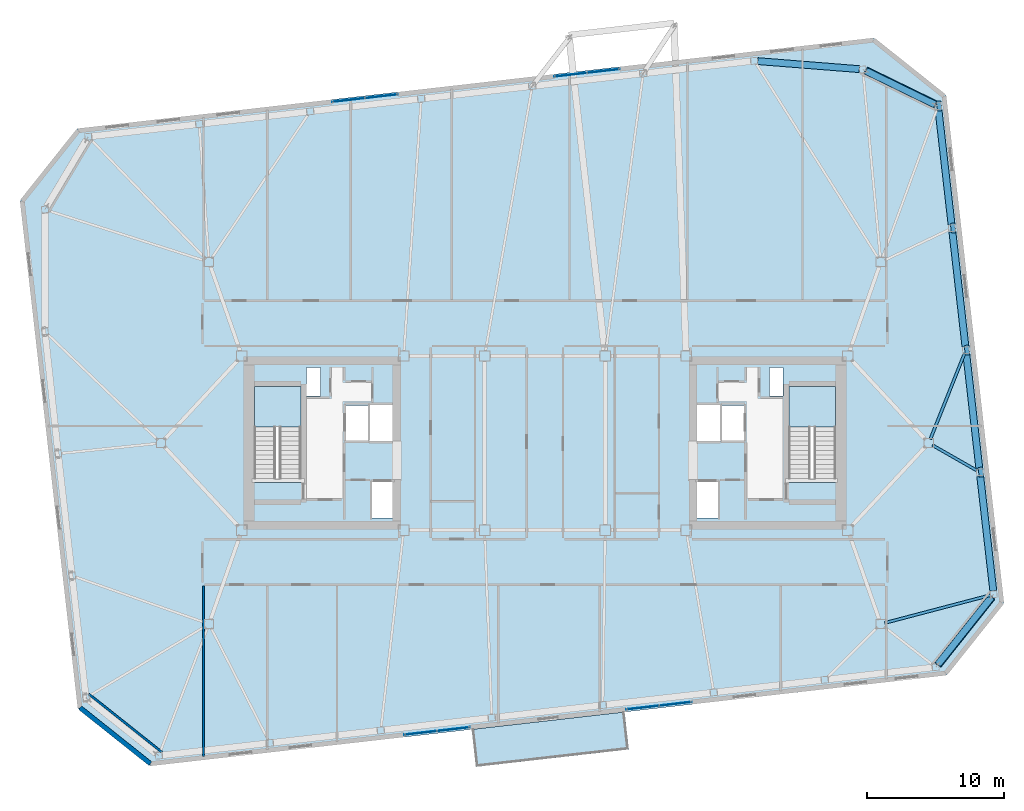
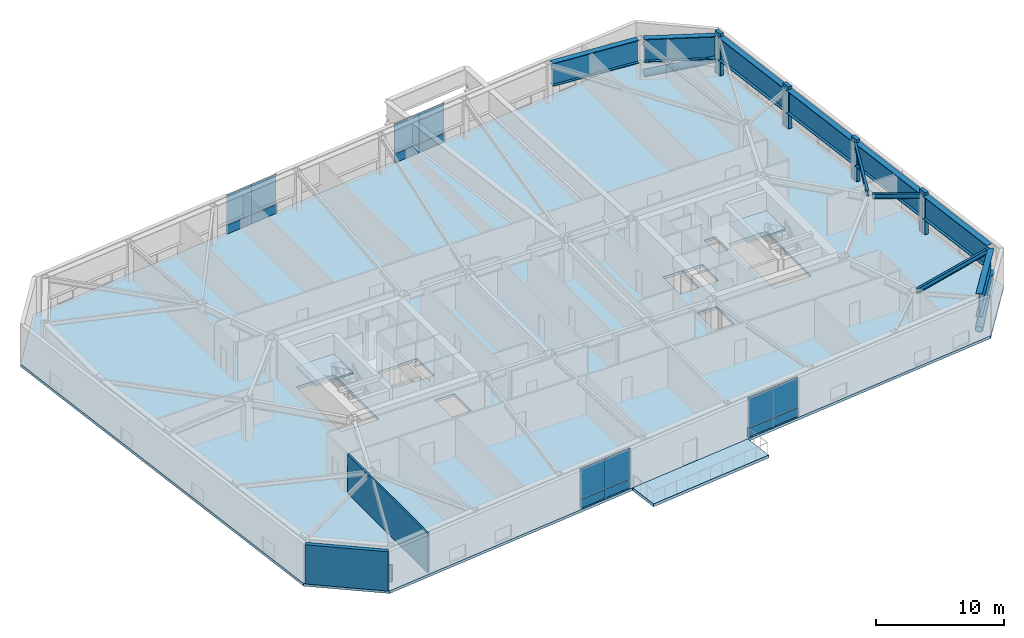
# One storey, part 11 of 20: 16 plates, 10 beams, 6 members, 4 slabs, 3 walls, 6 elements without a shape of their own.
"""IFC4 building model written with IfcOpenShell, lengths in metres."""

from ifc_helpers import new_model, si_unit, direction, frame, frame_2d, origin, origin_2d, place, context, subcontext, project, spatial, polyline, rectangle, hollow_circle, i_section, outline, extrude, material, layer, layer_set, material_profile, profile_set, type_object, element, aggregate, save


model = new_model("IFC4")

# Units and contexts
model_context = context("Model", 3, precision=1e-05, world=origin(), true_north=direction((0.0, 1.0)))
body_context = subcontext(model_context, "Body", "Model", "MODEL_VIEW")
ifc_project = project(units=[si_unit("LENGTHUNIT", "METRE"), si_unit("AREAUNIT", "SQUARE_METRE"), si_unit("VOLUMEUNIT", "CUBIC_METRE"), si_unit("PLANEANGLEUNIT", "RADIAN"), si_unit("MASSUNIT", "GRAM", prefix="KILO")], contexts=[model_context])

# Site, building, storey
site_placement = place(None, origin())
site = spatial("IfcSite", under=ifc_project, at=site_placement, CompositionType="ELEMENT")
building_placement = place(site_placement, origin())
building = spatial("IfcBuilding", under=site, at=building_placement, Name="Tavrogorsk Clinical Tower", CompositionType="ELEMENT")
storey_placement = place(building_placement, frame((0.0, 0.0, 234.199951171875)))
storey = spatial("IfcBuildingStorey", under=building, at=storey_placement, Name="L54", CompositionType="ELEMENT", Elevation=234.199951171875)

# Members
ifc_material_1 = material(Name="Structural steel S440", Category="steel")
ifc_material_profile_1 = material_profile(ifc_material_1, hollow_circle(Radius=0.304931640625, WallThickness=0.02490234375, at=origin_2d()), Name="CHS-610x25")
ifc_profile_set_1 = profile_set([ifc_material_profile_1], Name="Structural steel S440")
member_type_1 = type_object("IfcMemberType", Name="ExoBrace_CHS610", PredefinedType="BRACE", material=ifc_profile_set_1)
member_1_placement = place(storey_placement, frame((28.666748046875, -16.146484375, 0.344482421875), z_axis=(0.613163423379, 0.770848240557, 0.172695125176), x_axis=(-0.782606649981, 0.622516531029, 0.0)))
element("IfcMember", 1, at=member_1_placement, inside=storey, type_object=member_type_1, Name="L54 Corner Exoskeleton Brace S8-E1", PredefinedType="BRACE", context=body_context, shape_type="SweptSolid", body=[
    extrude(hollow_circle(Radius=0.304931640625, WallThickness=0.02490234375, at=origin_2d()), origin(), (0.0, 0.0, 1.0), 6.375732421875),
])
member_2_placement = place(storey_placement, frame((23.415771484375, 27.142333984375, 0.349365234375), z_axis=(0.882235051021, -0.430206188911, 0.191269312157), x_axis=(0.438298228352, 0.898829607336, 0.0)))
element("IfcMember", 2, at=member_2_placement, inside=storey, type_object=member_type_1, Name="L54 Corner Exoskeleton Brace E5-N1", PredefinedType="BRACE", context=body_context, shape_type="SweptSolid", body=[
    extrude(hollow_circle(Radius=0.304931640625, WallThickness=0.02490234375, at=origin_2d()), origin(), (0.0, 0.0, 1.0), 5.70556640625),
])

# Beams
ifc_material_2 = material(Name="Structural steel S355", Category="steel")
ifc_material_profile_2 = material_profile(ifc_material_2, i_section(OverallWidth=0.199951171875, OverallDepth=0.449951171875, WebThickness=0.011474609375, FlangeThickness=0.01806640625, at=origin_2d()), Name="B-450x200x11.5x18")
ifc_profile_set_2 = profile_set([ifc_material_profile_2], Name="Structural steel S355")
beam_type_1 = type_object("IfcBeamType", Name="FloorBeam_B450", PredefinedType="BEAM", material=ifc_profile_set_2)
beam_1_placement = place(storey_placement, frame((24.7998046875, -13.12109375, 3.51513671875), z_axis=(0.967072149487, 0.254502372652, 0.0), x_axis=(-0.254502372652, 0.967072149487, 0.0)))
element("IfcBeam", 3, at=beam_1_placement, inside=storey, type_object=beam_type_1, Name="L54 Radial Floor Beam E1", PredefinedType="BEAM", context=body_context, shape_type="SweptSolid", body=[
    extrude(i_section(OverallWidth=0.199951171875, OverallDepth=0.449951171875, WebThickness=0.011474609375, FlangeThickness=0.01806640625, at=origin_2d()), origin(), (0.0, 0.0, 1.0), 7.94677734375),
])
beam_2_placement = place(storey_placement, frame((28.26904296875, -0.154052734375, 3.51513671875), z_axis=(0.867782232017, -0.49694466271, 0.0), x_axis=(0.49694466271, 0.867782232017, 0.0)))
element("IfcBeam", 4, at=beam_2_placement, inside=storey, type_object=beam_type_1, Name="L54 Radial Floor Beam E2", PredefinedType="BEAM", context=body_context, shape_type="SweptSolid", body=[
    extrude(i_section(OverallWidth=0.199951171875, OverallDepth=0.449951171875, WebThickness=0.011474609375, FlangeThickness=0.01806640625, at=origin_2d()), origin(), (0.0, 0.0, 1.0), 3.718994140625),
])
beam_3_placement = place(storey_placement, frame((28.114990234375, 0.287841796875, 3.51513671875), z_axis=(0.371052625529, 0.928611839838, 0.0), x_axis=(-0.928611839838, 0.371052625529, 0.0)))
element("IfcBeam", 5, at=beam_3_placement, inside=storey, type_object=beam_type_1, Name="L54 Radial Floor Beam E3", PredefinedType="BEAM", context=body_context, shape_type="SweptSolid", body=[
    extrude(i_section(OverallWidth=0.199951171875, OverallDepth=0.449951171875, WebThickness=0.011474609375, FlangeThickness=0.01806640625, at=origin_2d()), origin(), (0.0, 0.0, 1.0), 6.724365234375),
])

# Members
ifc_material_3 = material(Name="Precast concrete B45 with limestone cladding", Category="masonry")
ifc_material_profile_3 = material_profile(ifc_material_3, rectangle(XDim=0.320068359375, YDim=0.719970703125, at=origin_2d()), Name="LIMESTONE-FIN-320x720")
ifc_profile_set_3 = profile_set([ifc_material_profile_3], Name="Precast concrete B45 with limestone cladding")
member_type_2 = type_object("IfcMemberType", Name="LimestonePleatFin_320x720", PredefinedType="USERDEFINED", material=ifc_profile_set_3)
for number, where, z_axis, x_axis, name in (
    (6, (31.799560546875, -2.121337890625, 0.0), (0.0, 0.0, 1.0), (0.993571855677, 0.113203213768, 0.0), "L54 E Pleated Stone Fin 1"),
    (7, (30.785400390625, 6.781005859375, 0.0), (0.0, 0.0, 1.0), (0.993571855677, 0.113203213768, 0.0), "L54 E Pleated Stone Fin 2"),
    (8, (29.77099609375, 15.683349609375, 0.0), (0.0, 0.0, 1.0), (0.993571855677, 0.113203213768, 0.0), "L54 E Pleated Stone Fin 3"),
    (9, (28.756591796875, 24.585693359375, 0.0), (0.0, 0.0, 1.0), (0.993571855677, 0.113203213768, 0.0), "L54 E Pleated Stone Fin 4"),
):
    element("IfcMember", number, at=place(storey_placement, frame(where, z_axis=z_axis, x_axis=x_axis)), inside=storey, type_object=member_type_2, Name=name, ObjectType="FIN", PredefinedType="USERDEFINED", context=body_context, shape_type="SweptSolid", body=[
        extrude(rectangle(XDim=0.320068359375, YDim=0.719970703125, at=origin_2d()), origin(), (0.0, 0.0, 1.0), 4.0),
    ])

# Beams
ifc_material_4 = material(Name="Structural steel S440", Category="steel")
ifc_material_profile_4 = material_profile(ifc_material_4, i_section(OverallWidth=0.5, OverallDepth=2.199951171875, WebThickness=0.035888671875, FlangeThickness=0.054931640625, at=origin_2d()), Name="DK-2200x500x36x55")
ifc_profile_set_4 = profile_set([ifc_material_profile_4], Name="Structural steel S440")
beam_type_2 = type_object("IfcBeamType", Name="TransferGirder_DK2200", PredefinedType="USERDEFINED", material=ifc_profile_set_4)
beam_4_placement = place(storey_placement, frame((28.669189453125, -16.1435546875, 2.64013671875), z_axis=(0.622513813188, 0.782608811853, 0.0), x_axis=(-0.782608811853, 0.622513813188, 0.0)))
element("IfcBeam", 10, at=beam_4_placement, inside=storey, type_object=beam_type_2, Name="L54 Perimeter Spandrel S8-E1", ObjectType="GIRDER", PredefinedType="USERDEFINED", context=body_context, shape_type="SweptSolid", body=[
    extrude(i_section(OverallWidth=0.5, OverallDepth=2.199951171875, WebThickness=0.035888671875, FlangeThickness=0.054931640625, at=origin_2d()), origin(), (0.0, 0.0, 1.0), 6.272216796875),
])
for number, where, z_axis, x_axis, name in (
    (11, (32.705078125, -10.776611328125, 2.64013671875), (-0.113191877531, 0.993573147212, 0.0), (-0.993573147212, -0.113191877531, 0.0), "L54 Perimeter Spandrel E1-E2"),
    (12, (31.69091796875, -1.874267578125, 2.64013671875), (-0.113191877531, 0.993573147212, 0.0), (-0.993573147212, -0.113191877531, 0.0), "L54 Perimeter Spandrel E2-E3"),
):
    element("IfcBeam", number, at=place(storey_placement, frame(where, z_axis=z_axis, x_axis=x_axis)), inside=storey, type_object=beam_type_2, Name=name, ObjectType="GIRDER", PredefinedType="USERDEFINED", context=body_context, shape_type="SweptSolid", body=[
        extrude(i_section(OverallWidth=0.5, OverallDepth=2.199951171875, WebThickness=0.035888671875, FlangeThickness=0.054931640625, at=origin_2d()), origin(), (0.0, 0.0, 1.0), 8.444091796875),
    ])
for number, where, z_axis, x_axis, name in (
    (13, (30.676513671875, 7.0283203125, 2.64013671875), (-0.113195129234, 0.99357277676, 0.0), (-0.99357277676, -0.113195129234, 0.0), "L54 Perimeter Spandrel E3-E4"),
    (14, (29.662353515625, 15.9306640625, 2.64013671875), (-0.113223671813, 0.993569524563, 0.0), (-0.993569524563, -0.113223671813, 0.0), "L54 Perimeter Spandrel E4-E5"),
):
    element("IfcBeam", number, at=place(storey_placement, frame(where, z_axis=z_axis, x_axis=x_axis)), inside=storey, type_object=beam_type_2, Name=name, ObjectType="GIRDER", PredefinedType="USERDEFINED", context=body_context, shape_type="SweptSolid", body=[
        extrude(i_section(OverallWidth=0.5, OverallDepth=2.199951171875, WebThickness=0.035888671875, FlangeThickness=0.054931640625, at=origin_2d()), origin(), (0.0, 0.0, 1.0), 8.44384765625),
    ])
beam_5_placement = place(storey_placement, frame((28.4453125, 24.689697265625, 2.64013671875), z_axis=(-0.898811248667, 0.438335874951, 0.0), x_axis=(-0.438335874951, -0.898811248667, 0.0)))
element("IfcBeam", 15, at=beam_5_placement, inside=storey, type_object=beam_type_2, Name="L54 Perimeter Spandrel E5-N1", ObjectType="GIRDER", PredefinedType="USERDEFINED", context=body_context, shape_type="SweptSolid", body=[
    extrude(i_section(OverallWidth=0.5, OverallDepth=2.199951171875, WebThickness=0.035888671875, FlangeThickness=0.054931640625, at=origin_2d()), origin(), (0.0, 0.0, 1.0), 5.5908203125),
])
beam_6_placement = place(storey_placement, frame((22.930908203125, 27.273681640625, 2.64013671875), z_axis=(-0.996881705424, 0.078910489738, 0.0), x_axis=(-0.078910489738, -0.996881705424, 0.0)))
element("IfcBeam", 16, at=beam_6_placement, inside=storey, type_object=beam_type_2, Name="L54 Perimeter Spandrel N1-N2", ObjectType="GIRDER", PredefinedType="USERDEFINED", context=body_context, shape_type="SweptSolid", body=[
    extrude(i_section(OverallWidth=0.5, OverallDepth=2.199951171875, WebThickness=0.035888671875, FlangeThickness=0.054931640625, at=origin_2d()), origin(), (0.0, 0.0, 1.0), 7.428466796875),
])

# Curtain wall, plates
ifc_material_5 = material(Name="Anodised aluminium and triple IGU glazing", Category="aluminium")
ifc_layer_1 = layer(ifc_material_5, 0.179931640625)
ifc_layer_set_1 = layer_set([ifc_layer_1], Name="Anodised aluminium and triple IGU glazing")
curtain_wall_type_1 = type_object("IfcCurtainWallType", Name="CW3_SouthSlot", PredefinedType="NOTDEFINED", material=ifc_layer_set_1)
curtain_wall_1_placement = place(storey_placement, origin())
curtain_wall_1 = element("IfcCurtainWall", 17, at=curtain_wall_1_placement, inside=storey, type_object=curtain_wall_type_1, Name="L54 Curtain Wall CW-L54-S-SLOT-1", PredefinedType="NOTDEFINED")
ifc_material_6 = material(Name="Honed Podolsk limestone spandrel panel", Category="masonry")
ifc_layer_2 = layer(ifc_material_6, 0.080078125)
ifc_layer_set_2 = layer_set([ifc_layer_2], Name="Honed Podolsk limestone spandrel panel")
plate_type_1 = type_object("IfcPlateType", Name="CwSpandrelStonePanel_80", PredefinedType="CURTAIN_PANEL", material=ifc_layer_set_2)
plate_1_placement = place(storey_placement, frame((-9.066650390625, -21.139892578125, 0.002197265625), z_axis=(0.0, 0.0, 1.0), x_axis=(0.993571855603, 0.11320321441, 0.0)))
plate_1 = element("IfcPlate", 18, at=plate_1_placement, type_object=plate_type_1, Name="CW-L54-S-SLOT-1 Stone Spandrel Panel 1", PredefinedType="CURTAIN_PANEL", context=body_context, shape_type="SweptSolid", body=[
    extrude(rectangle(XDim=2.39208984375, YDim=0.080078125, at=origin_2d()), origin(), (0.0, 0.0, 1.0), 0.8359375),
])
plate_2_placement = place(storey_placement, frame((-6.666259765625, -20.866455078125, 0.002197265625), z_axis=(0.0, 0.0, 1.0), x_axis=(0.993571855603, 0.11320321441, 0.0)))
plate_2 = element("IfcPlate", 19, at=plate_2_placement, type_object=plate_type_1, Name="CW-L54-S-SLOT-1 Stone Spandrel Panel 2", PredefinedType="CURTAIN_PANEL", context=body_context, shape_type="SweptSolid", body=[
    extrude(rectangle(XDim=2.39208984375, YDim=0.080078125, at=origin_2d()), origin(), (0.0, 0.0, 1.0), 0.8359375),
])

curtain_wall_2_placement = place(storey_placement, origin())
curtain_wall_2 = element("IfcCurtainWall", 20, at=curtain_wall_2_placement, inside=storey, type_object=curtain_wall_type_1, Name="L54 Curtain Wall CW-L54-S-SLOT-2", PredefinedType="NOTDEFINED")
plate_3_placement = place(storey_placement, frame((7.125732421875, -19.294921875, 0.002197265625), z_axis=(0.0, 0.0, 1.0), x_axis=(0.993571855603, 0.11320321441, 0.0)))
plate_3 = element("IfcPlate", 21, at=plate_3_placement, type_object=plate_type_1, Name="CW-L54-S-SLOT-2 Stone Spandrel Panel 1", PredefinedType="CURTAIN_PANEL", context=body_context, shape_type="SweptSolid", body=[
    extrude(rectangle(XDim=2.39208984375, YDim=0.080078125, at=origin_2d()), origin(), (0.0, 0.0, 1.0), 0.8359375),
])
plate_4_placement = place(storey_placement, frame((9.526123046875, -19.021484375, 0.002197265625), z_axis=(0.0, 0.0, 1.0), x_axis=(0.993571855603, 0.11320321441, 0.0)))
plate_4 = element("IfcPlate", 22, at=plate_4_placement, type_object=plate_type_1, Name="CW-L54-S-SLOT-2 Stone Spandrel Panel 2", PredefinedType="CURTAIN_PANEL", context=body_context, shape_type="SweptSolid", body=[
    extrude(rectangle(XDim=2.39208984375, YDim=0.080078125, at=origin_2d()), origin(), (0.0, 0.0, 1.0), 0.8359375),
])

ifc_material_7 = material(Name="Anodised aluminium and triple IGU glazing", Category="aluminium")
ifc_layer_3 = layer(ifc_material_7, 0.179931640625)
ifc_layer_set_3 = layer_set([ifc_layer_3], Name="Anodised aluminium and triple IGU glazing")
curtain_wall_type_2 = type_object("IfcCurtainWallType", Name="CW2_NorthSlot", PredefinedType="NOTDEFINED", material=ifc_layer_set_3)
curtain_wall_3_placement = place(storey_placement, origin())
curtain_wall_3 = element("IfcCurtainWall", 23, at=curtain_wall_3_placement, inside=storey, type_object=curtain_wall_type_2, Name="L54 Curtain Wall CW-L54-N-SLOT-1", PredefinedType="NOTDEFINED")
plate_5_placement = place(storey_placement, frame((-11.92578125, 25.294921875, 0.002197265625), z_axis=(0.0, 0.0, 1.0), x_axis=(-0.993571855603, -0.11320321441, 0.0)))
plate_5 = element("IfcPlate", 24, at=plate_5_placement, type_object=plate_type_1, Name="CW-L54-N-SLOT-1 Stone Spandrel Panel 1", PredefinedType="CURTAIN_PANEL", context=body_context, shape_type="SweptSolid", body=[
    extrude(rectangle(XDim=2.39208984375, YDim=0.080078125, at=origin_2d()), origin(), (0.0, 0.0, 1.0), 0.8359375),
])
plate_6_placement = place(storey_placement, frame((-14.326171875, 25.021484375, 0.002197265625), z_axis=(0.0, 0.0, 1.0), x_axis=(-0.993571855603, -0.11320321441, 0.0)))
plate_6 = element("IfcPlate", 25, at=plate_6_placement, type_object=plate_type_1, Name="CW-L54-N-SLOT-1 Stone Spandrel Panel 2", PredefinedType="CURTAIN_PANEL", context=body_context, shape_type="SweptSolid", body=[
    extrude(rectangle(XDim=2.39208984375, YDim=0.080078125, at=origin_2d()), origin(), (0.0, 0.0, 1.0), 0.8359375),
])

curtain_wall_4_placement = place(storey_placement, origin())
curtain_wall_4 = element("IfcCurtainWall", 26, at=curtain_wall_4_placement, inside=storey, type_object=curtain_wall_type_2, Name="L54 Curtain Wall CW-L54-N-SLOT-2", PredefinedType="NOTDEFINED")
plate_7_placement = place(storey_placement, frame((4.266845703125, 27.139892578125, 0.002197265625), z_axis=(0.0, 0.0, 1.0), x_axis=(-0.993571855603, -0.11320321441, 0.0)))
plate_7 = element("IfcPlate", 27, at=plate_7_placement, type_object=plate_type_1, Name="CW-L54-N-SLOT-2 Stone Spandrel Panel 1", PredefinedType="CURTAIN_PANEL", context=body_context, shape_type="SweptSolid", body=[
    extrude(rectangle(XDim=2.39208984375, YDim=0.080078125, at=origin_2d()), origin(), (0.0, 0.0, 1.0), 0.8359375),
])
plate_8_placement = place(storey_placement, frame((1.8662109375, 26.866455078125, 0.002197265625), z_axis=(0.0, 0.0, 1.0), x_axis=(-0.993571855603, -0.11320321441, 0.0)))
plate_8 = element("IfcPlate", 28, at=plate_8_placement, type_object=plate_type_1, Name="CW-L54-N-SLOT-2 Stone Spandrel Panel 2", PredefinedType="CURTAIN_PANEL", context=body_context, shape_type="SweptSolid", body=[
    extrude(rectangle(XDim=2.39208984375, YDim=0.080078125, at=origin_2d()), origin(), (0.0, 0.0, 1.0), 0.8359375),
])

# Plate
ifc_material_8 = material(Name="Triple low-E argon insulated glass", Category="glass")
ifc_layer_4 = layer(ifc_material_8, 0.048095703125)
ifc_layer_set_4 = layer_set([ifc_layer_4], Name="Triple low-E argon insulated glass")
plate_type_2 = type_object("IfcPlateType", Name="CwVisionGlassPanel_48", PredefinedType="CURTAIN_PANEL", material=ifc_layer_set_4)
plate_9_placement = place(storey_placement, frame((-9.066650390625, -21.139892578125, 0.862060546875), z_axis=(0.0, 0.0, 1.0), x_axis=(0.993571855603, 0.11320321441, 0.0)))
plate_9 = element("IfcPlate", 29, at=plate_9_placement, type_object=plate_type_2, Name="CW-L54-S-SLOT-1 Glazing Panel 1", PredefinedType="CURTAIN_PANEL", context=body_context, shape_type="SweptSolid", body=[
    extrude(rectangle(XDim=2.39208984375, YDim=0.048095703125, at=origin_2d()), origin(), (0.0, 0.0, 1.0), 2.8759765625),
])

plate_10_placement = place(storey_placement, frame((-6.666259765625, -20.866455078125, 0.862060546875), z_axis=(0.0, 0.0, 1.0), x_axis=(0.993571855603, 0.11320321441, 0.0)))
plate_10 = element("IfcPlate", 30, at=plate_10_placement, type_object=plate_type_2, Name="CW-L54-S-SLOT-1 Glazing Panel 2", PredefinedType="CURTAIN_PANEL", context=body_context, shape_type="SweptSolid", body=[
    extrude(rectangle(XDim=2.39208984375, YDim=0.048095703125, at=origin_2d()), origin(), (0.0, 0.0, 1.0), 2.8759765625),
])

aggregate(curtain_wall_1, [plate_1, plate_9, plate_2, plate_10])

plate_11_placement = place(storey_placement, frame((7.125732421875, -19.294921875, 0.862060546875), z_axis=(0.0, 0.0, 1.0), x_axis=(0.993571855603, 0.11320321441, 0.0)))
plate_11 = element("IfcPlate", 31, at=plate_11_placement, type_object=plate_type_2, Name="CW-L54-S-SLOT-2 Glazing Panel 1", PredefinedType="CURTAIN_PANEL", context=body_context, shape_type="SweptSolid", body=[
    extrude(rectangle(XDim=2.39208984375, YDim=0.048095703125, at=origin_2d()), origin(), (0.0, 0.0, 1.0), 2.8759765625),
])

plate_12_placement = place(storey_placement, frame((9.526123046875, -19.021484375, 0.862060546875), z_axis=(0.0, 0.0, 1.0), x_axis=(0.993571855603, 0.11320321441, 0.0)))
plate_12 = element("IfcPlate", 32, at=plate_12_placement, type_object=plate_type_2, Name="CW-L54-S-SLOT-2 Glazing Panel 2", PredefinedType="CURTAIN_PANEL", context=body_context, shape_type="SweptSolid", body=[
    extrude(rectangle(XDim=2.39208984375, YDim=0.048095703125, at=origin_2d()), origin(), (0.0, 0.0, 1.0), 2.8759765625),
])

aggregate(curtain_wall_2, [plate_3, plate_11, plate_4, plate_12])

plate_13_placement = place(storey_placement, frame((-11.92578125, 25.294921875, 0.862060546875), z_axis=(0.0, 0.0, 1.0), x_axis=(-0.993571855603, -0.11320321441, 0.0)))
plate_13 = element("IfcPlate", 33, at=plate_13_placement, type_object=plate_type_2, Name="CW-L54-N-SLOT-1 Glazing Panel 1", PredefinedType="CURTAIN_PANEL", context=body_context, shape_type="SweptSolid", body=[
    extrude(rectangle(XDim=2.39208984375, YDim=0.048095703125, at=origin_2d()), origin(), (0.0, 0.0, 1.0), 2.8759765625),
])

plate_14_placement = place(storey_placement, frame((-14.326171875, 25.021484375, 0.862060546875), z_axis=(0.0, 0.0, 1.0), x_axis=(-0.993571855603, -0.11320321441, 0.0)))
plate_14 = element("IfcPlate", 34, at=plate_14_placement, type_object=plate_type_2, Name="CW-L54-N-SLOT-1 Glazing Panel 2", PredefinedType="CURTAIN_PANEL", context=body_context, shape_type="SweptSolid", body=[
    extrude(rectangle(XDim=2.39208984375, YDim=0.048095703125, at=origin_2d()), origin(), (0.0, 0.0, 1.0), 2.8759765625),
])

aggregate(curtain_wall_3, [plate_5, plate_13, plate_6, plate_14])

plate_15_placement = place(storey_placement, frame((4.266845703125, 27.139892578125, 0.862060546875), z_axis=(0.0, 0.0, 1.0), x_axis=(-0.993571855603, -0.11320321441, 0.0)))
plate_15 = element("IfcPlate", 35, at=plate_15_placement, type_object=plate_type_2, Name="CW-L54-N-SLOT-2 Glazing Panel 1", PredefinedType="CURTAIN_PANEL", context=body_context, shape_type="SweptSolid", body=[
    extrude(rectangle(XDim=2.39208984375, YDim=0.048095703125, at=origin_2d()), origin(), (0.0, 0.0, 1.0), 2.8759765625),
])

plate_16_placement = place(storey_placement, frame((1.8662109375, 26.866455078125, 0.862060546875), z_axis=(0.0, 0.0, 1.0), x_axis=(-0.993571855603, -0.11320321441, 0.0)))
plate_16 = element("IfcPlate", 36, at=plate_16_placement, type_object=plate_type_2, Name="CW-L54-N-SLOT-2 Glazing Panel 2", PredefinedType="CURTAIN_PANEL", context=body_context, shape_type="SweptSolid", body=[
    extrude(rectangle(XDim=2.39208984375, YDim=0.048095703125, at=origin_2d()), origin(), (0.0, 0.0, 1.0), 2.8759765625),
])

aggregate(curtain_wall_4, [plate_7, plate_15, plate_8, plate_16])

# Stair, slab
ifc_material_9 = material(Name="Concrete B60", Category="concrete")
stair_type = type_object("IfcStairType", Name="CoreStairAssembly", PredefinedType="HALF_TURN_STAIR", material=ifc_material_9)
stair_1_placement = place(storey_placement, origin())
stair_1 = element("IfcStair", 37, at=stair_1_placement, inside=storey, type_object=stair_type, Name="L54 ST-W", PredefinedType="HALF_TURN_STAIR")
ifc_material_10 = material(Name="Concrete B60", Category="concrete")
ifc_layer_5 = layer(ifc_material_10, 0.199951171875)
ifc_layer_set_5 = layer_set([ifc_layer_5], Name="Concrete B60")
slab_type_1 = type_object("IfcSlabType", Name="StairLanding_200", PredefinedType="LANDING", material=ifc_layer_set_5)
slab_1_placement = place(storey_placement, frame((0.0, 0.0, 1.800048828125)))
slab_1 = element("IfcSlab", 38, at=slab_1_placement, type_object=slab_type_1, Name="ST-W landing 1", PredefinedType="LANDING", context=body_context, shape_type="SweptSolid", body=[
    extrude(outline(polyline([(-17.800048828125, 1.1650390625), (-17.800048828125, 4.125), (-21.199951171875, 4.125), (-21.199951171875, 1.1650390625), (-17.800048828125, 1.1650390625)])), origin(), (0.0, 0.0, 1.0), 0.199951171875),
])
aggregate(stair_1, [slab_1])

stair_2_placement = place(storey_placement, origin())
stair_2 = element("IfcStair", 39, at=stair_2_placement, inside=storey, type_object=stair_type, Name="L54 ST-E", PredefinedType="HALF_TURN_STAIR")
slab_2_placement = place(storey_placement, frame((0.0, 0.0, 1.800048828125)))
slab_2 = element("IfcSlab", 40, at=slab_2_placement, type_object=slab_type_1, Name="ST-E landing 1", PredefinedType="LANDING", context=body_context, shape_type="SweptSolid", body=[
    extrude(outline(polyline([(21.199951171875, 1.1650390625), (21.199951171875, 4.125), (17.800048828125, 4.125), (17.800048828125, 1.1650390625), (21.199951171875, 1.1650390625)])), origin(), (0.0, 0.0, 1.0), 0.199951171875),
])
aggregate(stair_2, [slab_2])

# Slabs
ifc_material_11 = material(Name="Concrete B60", Category="concrete")
ifc_layer_6 = layer(ifc_material_11, 0.280029296875)
ifc_layer_set_6 = layer_set([ifc_layer_6], Name="Concrete B60")
slab_type_2 = type_object("IfcSlabType", Name="TerraceRoofSlab_280", PredefinedType="ROOF", material=ifc_layer_set_6)
slab_3_placement = place(storey_placement, frame((0.0, 0.0, -0.280029296875)))
element("IfcSlab", 41, at=slab_3_placement, inside=storey, type_object=slab_type_2, Name="Spiralling Recuperation Terrace Slab", PredefinedType="ROOF", context=body_context, shape_type="SweptSolid", body=[
    extrude(outline(polyline([(6.124267578125, -22.347900390625), (-5.003662109375, -23.61572265625), (-5.31494140625, -20.883544921875), (5.81298828125, -19.615478515625), (6.124267578125, -22.347900390625)])), origin(), (0.0, 0.0, 1.0), 0.280029296875),
])
ifc_material_12 = material(Name="Concrete B60", Category="concrete")
ifc_layer_7 = layer(ifc_material_12, 0.260009765625)
ifc_layer_set_7 = layer_set([ifc_layer_7], Name="Concrete B60")
slab_type_3 = type_object("IfcSlabType", Name="WardSlab_260", PredefinedType="FLOOR", material=ifc_layer_set_7)
slab_4_placement = place(storey_placement, frame((0.0, 0.0, -0.260009765625)))
element("IfcSlab", 42, at=slab_4_placement, inside=storey, type_object=slab_type_3, Name="L54 Structural Slab", PredefinedType="FLOOR", context=body_context, shape_type="SweptSolid", body=[
    extrude(outline(polyline([(-28.76318359375, -23.55517578125), (29.26123046875, -16.944091796875), (33.487060546875, -11.631591796875), (29.27587890625, 25.329345703125), (23.96337890625, 29.55517578125), (-34.061279296875, 22.944091796875), (-38.287109375, 17.631591796875), (-34.075927734375, -19.329345703125), (-28.76318359375, -23.55517578125)]), holes=[polyline([(-17.800048828125, -2.8798828125), (-17.800048828125, 4.125), (-21.199951171875, 4.125), (-21.199951171875, -2.8798828125), (-17.800048828125, -2.8798828125)]), polyline([(21.199951171875, -2.8798828125), (21.199951171875, 4.125), (17.800048828125, 4.125), (17.800048828125, -2.8798828125), (21.199951171875, -2.8798828125)]), polyline([(-14.6201171875, 0.169921875), (-12.860107421875, 0.169921875), (-12.860107421875, 2.72998046875), (-14.6201171875, 2.72998046875), (-14.6201171875, 0.169921875)]), polyline([(-12.72998046875, -5.47998046875), (-10.969970703125, -5.47998046875), (-10.969970703125, -2.820068359375), (-12.72998046875, -2.820068359375), (-12.72998046875, -5.47998046875)]), polyline([(-12.840087890625, 0.1201171875), (-11.080078125, 0.1201171875), (-11.080078125, 2.780029296875), (-12.840087890625, 2.780029296875), (-12.840087890625, 0.1201171875)]), polyline([(12.860107421875, 0.169921875), (14.6201171875, 0.169921875), (14.6201171875, 2.72998046875), (12.860107421875, 2.72998046875), (12.860107421875, 0.169921875)]), polyline([(10.969970703125, -5.47998046875), (12.72998046875, -5.47998046875), (12.72998046875, -2.820068359375), (10.969970703125, -2.820068359375), (10.969970703125, -5.47998046875)]), polyline([(11.080078125, 0.1201171875), (12.840087890625, 0.1201171875), (12.840087890625, 2.780029296875), (11.080078125, 2.780029296875), (11.080078125, 0.1201171875)]), polyline([(-17.3798828125, 3.449951171875), (-16.3798828125, 3.449951171875), (-16.3798828125, 5.5), (-17.3798828125, 5.5), (-17.3798828125, 3.449951171875)]), polyline([(16.3798828125, 3.449951171875), (17.3798828125, 3.449951171875), (17.3798828125, 5.5), (16.3798828125, 5.5), (16.3798828125, 3.449951171875)])]), origin(), (0.0, 0.0, 1.0), 0.260009765625),
])

# Walls
ifc_material_13 = material(Name="Lightweight concrete blockwork B15", Category="masonry")
ifc_layer_8 = layer(ifc_material_13, 0.159912109375)
ifc_layer_set_8 = layer_set([ifc_layer_8], Name="Lightweight concrete blockwork B15")
wall_type_1 = type_object("IfcWallType", Name="PartitionWall_160", PredefinedType="PARTITIONING", material=ifc_layer_set_8)
wall_1_placement = place(storey_placement, frame((-33.265380859375, -18.310546875, 0.0), z_axis=(0.0, 0.0, 1.0), x_axis=(0.782602647064, -0.622521563328, 0.0)))
element("IfcWall", 43, at=wall_1_placement, inside=storey, type_object=wall_type_1, Name="L54 Corner Exoskeleton Brace Furring Wall 4", PredefinedType="PARTITIONING", context=body_context, shape_type="SweptSolid", body=[
    extrude(rectangle(XDim=6.788330078125, YDim=0.159912109375, at=frame_2d((3.39404296875, 0.0))), origin(), (0.0, 0.0, 1.0), 1.53515625),
])
wall_2_placement = place(storey_placement, frame((-24.89990234375, -22.873291015625, 0.0), z_axis=(0.0, 0.0, 1.0), x_axis=(0.0, 1.0, 0.0)))
element("IfcWall", 44, at=wall_2_placement, inside=storey, type_object=wall_type_1, Name="L54 SW Wing Closure Partition", PredefinedType="PARTITIONING", context=body_context, shape_type="SweptSolid", body=[
    extrude(rectangle(XDim=12.458251953125, YDim=0.159912109375, at=frame_2d((6.22900390625, 0.0))), origin(), (0.0, 0.0, 1.0), 3.739990234375),
])
ifc_material_14 = material(Name="Precast concrete B45 with limestone cladding", Category="masonry")
ifc_layer_9 = layer(ifc_material_14, 0.340087890625)
ifc_layer_set_9 = layer_set([ifc_layer_9], Name="Precast concrete B45 with limestone cladding")
wall_type_2 = type_object("IfcWallType", Name="PrecastLimestoneWall_340", PredefinedType="STANDARD", material=ifc_layer_set_9)
wall_3_placement = place(storey_placement, frame((-33.906982421875, -19.31005859375, 0.0), z_axis=(0.0, 0.0, 1.0), x_axis=(0.782611787794, -0.622510071892, 0.0)))
element("IfcWall", 45, at=wall_3_placement, inside=storey, type_object=wall_type_2, Name="L54 Chamfered Corner Wall 4", PredefinedType="STANDARD", context=body_context, shape_type="SweptSolid", body=[
    extrude(rectangle(XDim=6.5478515625, YDim=0.340087890625, at=frame_2d((3.27392578125, 0.0))), origin(), (0.0, 0.0, 1.0), 3.739990234375),
])

save(model, "model.ifc")
